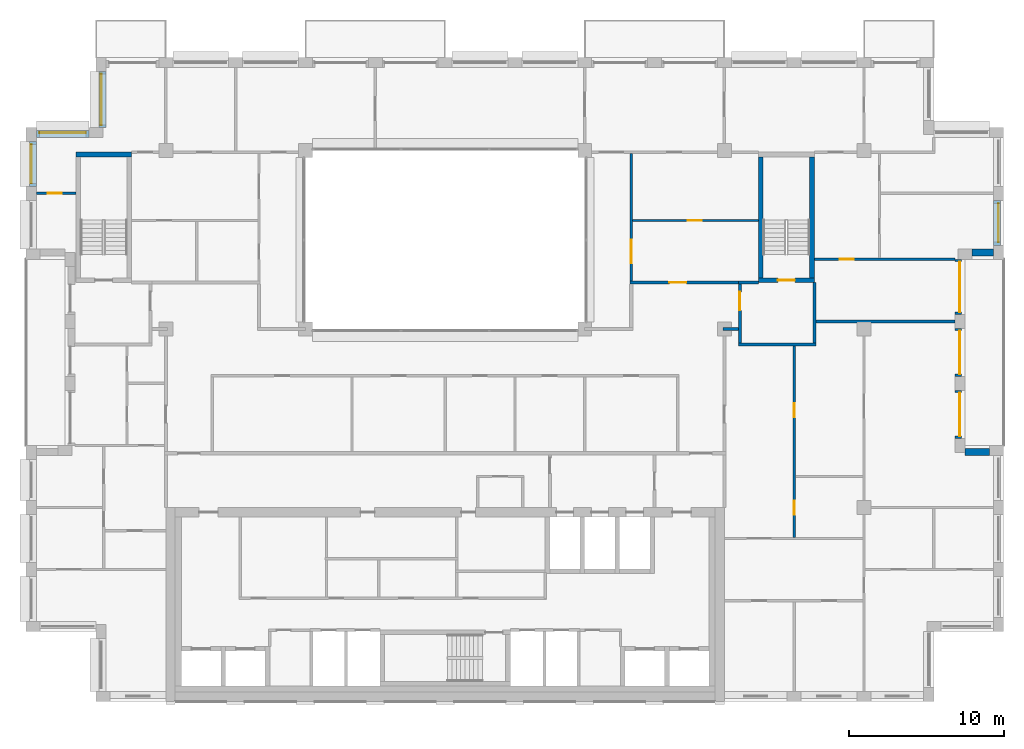
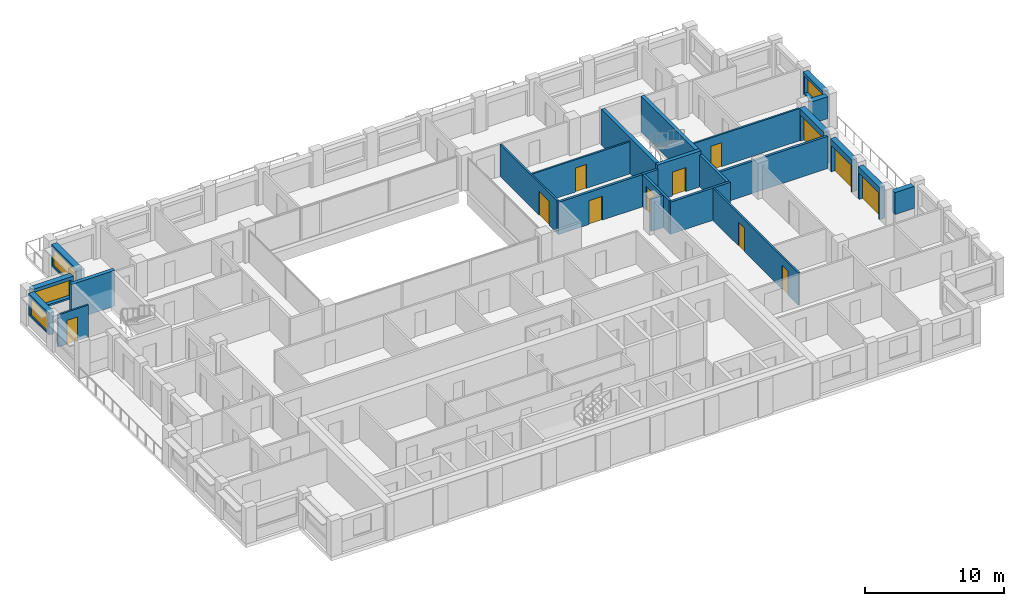
# One storey, part 12 of 15: 25 walls, 12 doors, 4 windows, 16 openings.
"""IFC4 building model written with IfcOpenShell, lengths in metres."""

from ifc_helpers import new_model, si_unit, direction, frame, frame_2d, origin, place, context, subcontext, project, spatial, rectangle, extrude, material, layer, layer_set, type_object, element, fill, save


model = new_model("IFC4")

# Units and contexts
model_context = context("Model", 3, precision=1e-05, world=origin(), true_north=direction((0.0, 1.0)))
body_context = subcontext(model_context, "Body", "Model", "MODEL_VIEW")
ifc_project = project(units=[si_unit("LENGTHUNIT", "METRE"), si_unit("AREAUNIT", "SQUARE_METRE"), si_unit("VOLUMEUNIT", "CUBIC_METRE"), si_unit("PLANEANGLEUNIT", "RADIAN"), si_unit("MASSUNIT", "GRAM", prefix="KILO")], contexts=[model_context])

# Site, building, storey
site_placement = place(None, origin())
site = spatial("IfcSite", under=ifc_project, at=site_placement, CompositionType="ELEMENT")
building_placement = place(site_placement, origin())
building = spatial("IfcBuilding", under=site, at=building_placement, Name="Brigalow Station Residences", CompositionType="ELEMENT")
storey_placement = place(building_placement, frame((0.0, 0.0, 223.199951171875)))
storey = spatial("IfcBuildingStorey", under=building, at=storey_placement, Name="L64", CompositionType="ELEMENT", Elevation=223.199951171875)

# Wall
ifc_material_1 = material(Name="Clay brick masonry", Category="masonry")
ifc_layer_1 = layer(ifc_material_1, 0.449951171875)
ifc_layer_set_1 = layer_set([ifc_layer_1], Name="BRICK INFILL WALL 450")
wall_type_1 = type_object("IfcWallType", Name="BRICK INFILL WALL 450", PredefinedType="SOLIDWALL", material=ifc_layer_set_1)
wall_1_placement = place(storey_placement, frame((71.10009765625, 16.074951171875, 0.900146484375), z_axis=(0.0, 0.0, 1.0), x_axis=(-1.0, 0.0, 0.0)))
element("IfcWall", 1, at=wall_1_placement, inside=storey, type_object=wall_type_1, Name="L64/ewall/W-L64-11", PredefinedType="SOLIDWALL", context=body_context, shape_type="SweptSolid", body=[
    extrude(rectangle(XDim=1.60009765625, YDim=0.449951171875, at=frame_2d((0.800048828125, 0.0))), origin(), (0.0, 0.0, 1.0), 1.929931640625),
])

# Wall, opening, door
wall_2_placement = place(storey_placement, frame((69.074951171875, 16.949951171875, 0.0), z_axis=(0.0, 0.0, 1.0), x_axis=(0.0, 1.0, 0.0)))
wall_2 = element("IfcWall", 2, at=wall_2_placement, inside=storey, type_object=wall_type_1, Name="L64/ewall/W-L64-12", PredefinedType="SOLIDWALL", context=body_context, shape_type="SweptSolid", body=[
    extrude(rectangle(XDim=3.10009765625, YDim=0.449951171875, at=frame_2d((1.550048828125, 0.0))), origin(), (0.0, 0.0, 1.0), 2.830078125),
])
opening_1_placement = place(wall_2_placement, frame((0.14990234375, 0.0, 0.0)))
opening_1 = element("IfcOpeningElement", 3, at=opening_1_placement, cuts=wall_2, Name="Opening D-B2800", PredefinedType="OPENING", context=body_context, shape_type="SweptSolid", body=[
    extrude(rectangle(XDim=2.800048828125, YDim=2.300048828125, at=frame_2d((1.39990234375, 1.14990234375))), frame((0.0, 0.23486328125, 0.0), z_axis=(0.0, -1.0, 0.0), x_axis=(1.0, 0.0, 0.0)), (0.0, 0.0, 1.0), 0.469970703125),
])
ifc_material_2 = material(Name="Anodised aluminium frame with double glazing", Category="aluminium")
door_type_1 = type_object("IfcDoorType", Name="BALCONY SLIDING DOOR 2800x2300", OperationType="SLIDING_TO_LEFT", PredefinedType="DOOR", material=ifc_material_2)
door_1_placement = place(opening_1_placement, origin())
door_1 = element("IfcDoor", 4, at=door_1_placement, inside=storey, type_object=door_type_1, Name="L64/balcony-door/W-L64-12", OperationType="SLIDING_TO_LEFT", OverallHeight=2.300048828125, OverallWidth=2.800048828125, PredefinedType="DOOR", context=body_context, shape_type="SweptSolid", body=[
    extrude(rectangle(XDim=2.800048828125, YDim=2.300048828125, at=frame_2d((1.39990234375, 1.14990234375))), frame((0.0, -0.06982421875, 0.0), z_axis=(0.0, -1.0, 0.0), x_axis=(1.0, 0.0, 0.0)), (0.0, 0.0, 1.0), 0.050048828125),
])
fill(opening_1, door_1)

wall_3_placement = place(storey_placement, frame((69.074951171875, 20.949951171875, 0.0), z_axis=(0.0, 0.0, 1.0), x_axis=(0.0, 1.0, 0.0)))
wall_3 = element("IfcWall", 5, at=wall_3_placement, inside=storey, type_object=wall_type_1, Name="L64/ewall/W-L64-13", PredefinedType="SOLIDWALL", context=body_context, shape_type="SweptSolid", body=[
    extrude(rectangle(XDim=3.10009765625, YDim=0.449951171875, at=frame_2d((1.550048828125, 0.0))), origin(), (0.0, 0.0, 1.0), 2.830078125),
])
opening_2_placement = place(wall_3_placement, frame((0.14990234375, 0.0, 0.0)))
opening_2 = element("IfcOpeningElement", 6, at=opening_2_placement, cuts=wall_3, Name="Opening D-B2800", PredefinedType="OPENING", context=body_context, shape_type="SweptSolid", body=[
    extrude(rectangle(XDim=2.800048828125, YDim=2.300048828125, at=frame_2d((1.39990234375, 1.14990234375))), frame((0.0, 0.23486328125, 0.0), z_axis=(0.0, -1.0, 0.0), x_axis=(1.0, 0.0, 0.0)), (0.0, 0.0, 1.0), 0.469970703125),
])
door_2_placement = place(opening_2_placement, origin())
door_2 = element("IfcDoor", 7, at=door_2_placement, inside=storey, type_object=door_type_1, Name="L64/balcony-door/W-L64-13", OperationType="SLIDING_TO_LEFT", OverallHeight=2.300048828125, OverallWidth=2.800048828125, PredefinedType="DOOR", context=body_context, shape_type="SweptSolid", body=[
    extrude(rectangle(XDim=2.800048828125, YDim=2.300048828125, at=frame_2d((1.39990234375, 1.14990234375))), frame((0.0, -0.06982421875, 0.0), z_axis=(0.0, -1.0, 0.0), x_axis=(1.0, 0.0, 0.0)), (0.0, 0.0, 1.0), 0.050048828125),
])
fill(opening_2, door_2)

wall_4_placement = place(storey_placement, frame((69.074951171875, 24.949951171875, 0.0), z_axis=(0.0, 0.0, 1.0), x_axis=(0.0, 1.0, 0.0)))
wall_4 = element("IfcWall", 8, at=wall_4_placement, inside=storey, type_object=wall_type_1, Name="L64/ewall/W-L64-14", PredefinedType="SOLIDWALL", context=body_context, shape_type="SweptSolid", body=[
    extrude(rectangle(XDim=3.550048828125, YDim=0.449951171875, at=frame_2d((1.77490234375, 0.0))), origin(), (0.0, 0.0, 1.0), 2.830078125),
])
opening_3_placement = place(wall_4_placement, frame((0.14990234375, 0.0, 0.0)))
opening_3 = element("IfcOpeningElement", 9, at=opening_3_placement, cuts=wall_4, Name="Opening D-B3250", PredefinedType="OPENING", context=body_context, shape_type="SweptSolid", body=[
    extrude(rectangle(XDim=3.25, YDim=2.300048828125, at=frame_2d((1.625, 1.14990234375))), frame((0.0, 0.23486328125, 0.0), z_axis=(0.0, -1.0, 0.0), x_axis=(1.0, 0.0, 0.0)), (0.0, 0.0, 1.0), 0.469970703125),
])
ifc_material_3 = material(Name="Anodised aluminium frame with double glazing", Category="aluminium")
door_type_2 = type_object("IfcDoorType", Name="BALCONY SLIDING DOOR 3250x2300", OperationType="SLIDING_TO_LEFT", PredefinedType="DOOR", material=ifc_material_3)
door_3_placement = place(opening_3_placement, origin())
door_3 = element("IfcDoor", 10, at=door_3_placement, inside=storey, type_object=door_type_2, Name="L64/balcony-door/W-L64-14", OperationType="SLIDING_TO_LEFT", OverallHeight=2.300048828125, OverallWidth=3.25, PredefinedType="DOOR", context=body_context, shape_type="SweptSolid", body=[
    extrude(rectangle(XDim=3.25, YDim=2.300048828125, at=frame_2d((1.625, 1.14990234375))), frame((0.0, -0.06982421875, 0.0), z_axis=(0.0, -1.0, 0.0), x_axis=(1.0, 0.0, 0.0)), (0.0, 0.0, 1.0), 0.050048828125),
])
fill(opening_3, door_3)

# Wall
wall_5_placement = place(storey_placement, frame((69.949951171875, 28.925048828125, 0.900146484375), z_axis=(0.0, 0.0, 1.0), x_axis=(1.0, 0.0, 0.0)))
element("IfcWall", 11, at=wall_5_placement, inside=storey, type_object=wall_type_1, Name="L64/ewall/W-L64-15", PredefinedType="SOLIDWALL", context=body_context, shape_type="SweptSolid", body=[
    extrude(rectangle(XDim=1.400146484375, YDim=0.449951171875, at=frame_2d((0.7001953125, 0.0))), origin(), (0.0, 0.0, 1.0), 1.929931640625),
])

# Wall, opening, window
wall_6_placement = place(storey_placement, frame((71.574951171875, 29.39990234375, 0.900146484375), z_axis=(0.0, 0.0, 1.0), x_axis=(0.0, 1.0, 0.0)))
wall_6 = element("IfcWall", 12, at=wall_6_placement, inside=storey, type_object=wall_type_1, Name="L64/ewall/W-L64-16", PredefinedType="SOLIDWALL", context=body_context, shape_type="SweptSolid", body=[
    extrude(rectangle(XDim=2.900146484375, YDim=0.449951171875, at=frame_2d((1.4501953125, 0.0))), origin(), (0.0, 0.0, 1.0), 1.929931640625),
])
opening_4_placement = place(wall_6_placement, frame((0.199951171875, 0.0, 0.14990234375)))
opening_4 = element("IfcOpeningElement", 13, at=opening_4_placement, cuts=wall_6, Name="Opening WT-5", PredefinedType="OPENING", context=body_context, shape_type="SweptSolid", body=[
    extrude(rectangle(XDim=2.5, YDim=1.5, at=frame_2d((1.25, 0.75))), frame((0.0, 0.23486328125, 0.0), z_axis=(0.0, -1.0, 0.0), x_axis=(1.0, 0.0, 0.0)), (0.0, 0.0, 1.0), 0.469970703125),
])
ifc_material_4 = material(Name="Anodised aluminium frame with double glazing", Category="aluminium")
window_type_1 = type_object("IfcWindowType", Name="WINDOW 2500x1500", PartitioningType="SINGLE_PANEL", PredefinedType="WINDOW", material=ifc_material_4)
window_1_placement = place(opening_4_placement, origin())
window_1 = element("IfcWindow", 14, at=window_1_placement, inside=storey, type_object=window_type_1, Name="L64/window/W-L64-16", OverallHeight=1.5, OverallWidth=2.5, PartitioningType="SINGLE_PANEL", PredefinedType="WINDOW", context=body_context, shape_type="SweptSolid", body=[
    extrude(rectangle(XDim=2.5, YDim=1.5, at=frame_2d((1.25, 0.75))), frame((0.0, -0.06494140625, 0.0), z_axis=(0.0, -1.0, 0.0), x_axis=(1.0, 0.0, 0.0)), (0.0, 0.0, 1.0), 0.06005859375),
])
fill(opening_4, window_1)

wall_7_placement = place(storey_placement, frame((13.925048828125, 40.60009765625, 0.900146484375), z_axis=(0.0, 0.0, 1.0), x_axis=(0.0, -1.0, 0.0)))
wall_7 = element("IfcWall", 15, at=wall_7_placement, inside=storey, type_object=wall_type_1, Name="L64/ewall/W-L64-32", PredefinedType="SOLIDWALL", context=body_context, shape_type="SweptSolid", body=[
    extrude(rectangle(XDim=3.60009765625, YDim=0.449951171875, at=frame_2d((1.800048828125, 0.0))), origin(), (0.0, 0.0, 1.0), 1.929931640625),
])
opening_5_placement = place(wall_7_placement, frame((0.14990234375, 0.0, 0.14990234375)))
opening_5 = element("IfcOpeningElement", 16, at=opening_5_placement, cuts=wall_7, Name="Opening WT-10", PredefinedType="OPENING", context=body_context, shape_type="SweptSolid", body=[
    extrude(rectangle(XDim=3.300048828125, YDim=1.5, at=frame_2d((1.64990234375, 0.75))), frame((0.0, 0.23486328125, 0.0), z_axis=(0.0, -1.0, 0.0), x_axis=(1.0, 0.0, 0.0)), (0.0, 0.0, 1.0), 0.469970703125),
])
ifc_material_5 = material(Name="Anodised aluminium frame with double glazing", Category="aluminium")
window_type_2 = type_object("IfcWindowType", Name="WINDOW 3300x1500", PartitioningType="SINGLE_PANEL", PredefinedType="WINDOW", material=ifc_material_5)
window_2_placement = place(opening_5_placement, origin())
window_2 = element("IfcWindow", 17, at=window_2_placement, inside=storey, type_object=window_type_2, Name="L64/window/W-L64-32", OverallHeight=1.5, OverallWidth=3.300048828125, PartitioningType="SINGLE_PANEL", PredefinedType="WINDOW", context=body_context, shape_type="SweptSolid", body=[
    extrude(rectangle(XDim=3.300048828125, YDim=1.5, at=frame_2d((1.64990234375, 0.75))), frame((0.0, -0.06494140625, 0.0), z_axis=(0.0, -1.0, 0.0), x_axis=(1.0, 0.0, 0.0)), (0.0, 0.0, 1.0), 0.06005859375),
])
fill(opening_5, window_2)

wall_8_placement = place(storey_placement, frame((13.050048828125, 36.574951171875, 0.900146484375), z_axis=(0.0, 0.0, 1.0), x_axis=(-1.0, 0.0, 0.0)))
wall_8 = element("IfcWall", 18, at=wall_8_placement, inside=storey, type_object=wall_type_1, Name="L64/ewall/W-L64-33", PredefinedType="SOLIDWALL", context=body_context, shape_type="SweptSolid", body=[
    extrude(rectangle(XDim=3.400146484375, YDim=0.449951171875, at=frame_2d((1.7001953125, 0.0))), origin(), (0.0, 0.0, 1.0), 1.929931640625),
])
opening_6_placement = place(wall_8_placement, frame((0.199951171875, 0.0, 0.14990234375)))
opening_6 = element("IfcOpeningElement", 19, at=opening_6_placement, cuts=wall_8, Name="Opening WT-2", PredefinedType="OPENING", context=body_context, shape_type="SweptSolid", body=[
    extrude(rectangle(XDim=3.0, YDim=1.5, at=frame_2d((1.5, 0.75))), frame((0.0, 0.23486328125, 0.0), z_axis=(0.0, -1.0, 0.0), x_axis=(1.0, 0.0, 0.0)), (0.0, 0.0, 1.0), 0.469970703125),
])
ifc_material_6 = material(Name="Anodised aluminium frame with double glazing", Category="aluminium")
window_type_3 = type_object("IfcWindowType", Name="WINDOW 3000x1500", PartitioningType="SINGLE_PANEL", PredefinedType="WINDOW", material=ifc_material_6)
window_3_placement = place(opening_6_placement, origin())
window_3 = element("IfcWindow", 20, at=window_3_placement, inside=storey, type_object=window_type_3, Name="L64/window/W-L64-33", OverallHeight=1.5, OverallWidth=3.0, PartitioningType="SINGLE_PANEL", PredefinedType="WINDOW", context=body_context, shape_type="SweptSolid", body=[
    extrude(rectangle(XDim=3.0, YDim=1.5, at=frame_2d((1.5, 0.75))), frame((0.0, -0.06494140625, 0.0), z_axis=(0.0, -1.0, 0.0), x_axis=(1.0, 0.0, 0.0)), (0.0, 0.0, 1.0), 0.06005859375),
])
fill(opening_6, window_3)

wall_9_placement = place(storey_placement, frame((9.425048828125, 36.10009765625, 0.900146484375), z_axis=(0.0, 0.0, 1.0), x_axis=(0.0, -1.0, 0.0)))
wall_9 = element("IfcWall", 21, at=wall_9_placement, inside=storey, type_object=wall_type_1, Name="L64/ewall/W-L64-34", PredefinedType="SOLIDWALL", context=body_context, shape_type="SweptSolid", body=[
    extrude(rectangle(XDim=2.900146484375, YDim=0.449951171875, at=frame_2d((1.4501953125, 0.0))), origin(), (0.0, 0.0, 1.0), 1.929931640625),
])
opening_7_placement = place(wall_9_placement, frame((0.199951171875, 0.0, 0.14990234375)))
opening_7 = element("IfcOpeningElement", 22, at=opening_7_placement, cuts=wall_9, Name="Opening WT-5", PredefinedType="OPENING", context=body_context, shape_type="SweptSolid", body=[
    extrude(rectangle(XDim=2.5, YDim=1.5, at=frame_2d((1.25, 0.75))), frame((0.0, 0.23486328125, 0.0), z_axis=(0.0, -1.0, 0.0), x_axis=(1.0, 0.0, 0.0)), (0.0, 0.0, 1.0), 0.469970703125),
])
window_4_placement = place(opening_7_placement, origin())
window_4 = element("IfcWindow", 23, at=window_4_placement, inside=storey, type_object=window_type_1, Name="L64/window/W-L64-34", OverallHeight=1.5, OverallWidth=2.5, PartitioningType="SINGLE_PANEL", PredefinedType="WINDOW", context=body_context, shape_type="SweptSolid", body=[
    extrude(rectangle(XDim=2.5, YDim=1.5, at=frame_2d((1.25, 0.75))), frame((0.0, -0.06494140625, 0.0), z_axis=(0.0, -1.0, 0.0), x_axis=(1.0, 0.0, 0.0)), (0.0, 0.0, 1.0), 0.06005859375),
])
fill(opening_7, window_4)

# Wall
ifc_material_7 = material(Name="Concrete C50", Category="concrete")
ifc_layer_2 = layer(ifc_material_7, 0.300048828125)
ifc_layer_set_2 = layer_set([ifc_layer_2], Name="CORE SHEAR WALL 300 C50")
wall_type_2 = type_object("IfcWallType", Name="CORE SHEAR WALL 300 C50", PredefinedType="SHEAR", material=ifc_layer_set_2)
wall_10_placement = place(storey_placement, frame((12.199951171875, 35.25, 0.0), z_axis=(0.0, 0.0, 1.0), x_axis=(1.0, 0.0, 0.0)))
element("IfcWall", 24, at=wall_10_placement, inside=storey, type_object=wall_type_2, Name="CORE WALL ST-S1-N L64", PredefinedType="SHEAR", context=body_context, shape_type="SweptSolid", body=[
    extrude(rectangle(XDim=3.60009765625, YDim=0.300048828125, at=frame_2d((1.800048828125, 0.0))), origin(), (0.0, 0.0, 1.0), 3.150146484375),
])

# Wall, opening, door
wall_11_placement = place(storey_placement, frame((56.199951171875, 27.14990234375, 0.0), z_axis=(0.0, 0.0, 1.0), x_axis=(1.0, 0.0, 0.0)))
wall_11 = element("IfcWall", 25, at=wall_11_placement, inside=storey, type_object=wall_type_2, Name="CORE WALL ST-S3-S L64", PredefinedType="SHEAR", context=body_context, shape_type="SweptSolid", body=[
    extrude(rectangle(XDim=3.60009765625, YDim=0.300048828125, at=frame_2d((1.800048828125, 0.0))), origin(), (0.0, 0.0, 1.0), 3.150146484375),
])
opening_8_placement = place(wall_11_placement, frame((1.25, 0.0, 0.0)))
opening_8 = element("IfcOpeningElement", 26, at=opening_8_placement, cuts=wall_11, Name="Opening D-5018", PredefinedType="OPENING", context=body_context, shape_type="SweptSolid", body=[
    extrude(rectangle(XDim=1.10009765625, YDim=2.10009765625, at=frame_2d((0.550048828125, 1.050048828125))), frame((0.0, 0.16015625, 0.0), z_axis=(0.0, -1.0, 0.0), x_axis=(1.0, 0.0, 0.0)), (0.0, 0.0, 1.0), 0.320068359375),
])
ifc_material_8 = material(Name="Steel fire door leaf in steel frame", Category="steel")
door_type_3 = type_object("IfcDoorType", Name="STAIR DOOR 1100 x 2100 FD60S", OperationType="SINGLE_SWING_LEFT", PredefinedType="DOOR", material=ifc_material_8)
door_4_placement = place(opening_8_placement, origin())
door_4 = element("IfcDoor", 27, at=door_4_placement, inside=storey, type_object=door_type_3, Name="D-5018", OperationType="SINGLE_SWING_LEFT", OverallHeight=2.10009765625, OverallWidth=1.10009765625, PredefinedType="DOOR", context=body_context, shape_type="SweptSolid", body=[
    extrude(rectangle(XDim=1.10009765625, YDim=2.10009765625, at=frame_2d((0.550048828125, 1.050048828125))), frame((0.0, 0.02490234375, 0.0), z_axis=(0.0, -1.0, 0.0), x_axis=(1.0, 0.0, 0.0)), (0.0, 0.0, 1.0), 0.050048828125),
])
fill(opening_8, door_4)

# Walls
for number, where, z_axis, x_axis, name in (
    (28, (56.35009765625, 27.300048828125, 0.0), (0.0, 0.0, 1.0), (0.0, 1.0, 0.0), "CORE WALL ST-S3-W L64"),
    (29, (59.64990234375, 27.300048828125, 0.0), (0.0, 0.0, 1.0), (0.0, 1.0, 0.0), "CORE WALL ST-S3-E L64"),
):
    element("IfcWall", number, at=place(storey_placement, frame(where, z_axis=z_axis, x_axis=x_axis)), inside=storey, type_object=wall_type_2, Name=name, PredefinedType="SHEAR", context=body_context, shape_type="SweptSolid", body=[
        extrude(rectangle(XDim=7.800048828125, YDim=0.300048828125, at=frame_2d((3.89990234375, 0.0))), origin(), (0.0, 0.0, 1.0), 3.150146484375),
    ])
ifc_material_9 = material(Name="Concrete blockwork", Category="masonry")
ifc_layer_3 = layer(ifc_material_9, 0.199951171875)
ifc_layer_set_3 = layer_set([ifc_layer_3], Name="FIRE RATED CORE PARTITION 200")
wall_type_3 = type_object("IfcWallType", Name="FIRE RATED CORE PARTITION 200", PredefinedType="PARTITIONING", material=ifc_layer_set_3)
wall_12_placement = place(storey_placement, frame((54.89990234375, 23.0, 0.0), z_axis=(0.0, 0.0, 1.0), x_axis=(1.0, 0.0, 0.0)))
element("IfcWall", 30, at=wall_12_placement, inside=storey, type_object=wall_type_3, Name="PW-5024", PredefinedType="PARTITIONING", context=body_context, shape_type="SweptSolid", body=[
    extrude(rectangle(XDim=5.0, YDim=0.199951171875, at=frame_2d((2.5, 0.0))), origin(), (0.0, 0.0, 1.0), 2.830078125),
])
wall_13_placement = place(storey_placement, frame((54.89990234375, 27.0, 0.0), z_axis=(0.0, 0.0, 1.0), x_axis=(1.0, 0.0, 0.0)))
element("IfcWall", 31, at=wall_13_placement, inside=storey, type_object=wall_type_3, Name="PW-5026", PredefinedType="PARTITIONING", context=body_context, shape_type="SweptSolid", body=[
    extrude(rectangle(XDim=1.300048828125, YDim=0.199951171875, at=frame_2d((0.64990234375, 0.0))), origin(), (0.0, 0.0, 1.0), 2.830078125),
])

# Wall, opening, door
wall_14_placement = place(storey_placement, frame((55.0, 23.10009765625, 0.0), z_axis=(0.0, 0.0, 1.0), x_axis=(0.0, 1.0, 0.0)))
wall_14 = element("IfcWall", 32, at=wall_14_placement, inside=storey, type_object=wall_type_3, Name="PW-5036", PredefinedType="PARTITIONING", context=body_context, shape_type="SweptSolid", body=[
    extrude(rectangle(XDim=3.7998046875, YDim=0.199951171875, at=frame_2d((1.89990234375, 0.0))), origin(), (0.0, 0.0, 1.0), 2.830078125),
])
opening_9_placement = place(wall_14_placement, frame((2.10009765625, 0.0, 0.0)))
opening_9 = element("IfcOpeningElement", 33, at=opening_9_placement, cuts=wall_14, Name="Opening D-5019", PredefinedType="OPENING", context=body_context, shape_type="SweptSolid", body=[
    extrude(rectangle(XDim=1.199951171875, YDim=2.10009765625, at=frame_2d((0.60009765625, 1.050048828125))), frame((0.0, 0.10986328125, 0.0), z_axis=(0.0, -1.0, 0.0), x_axis=(1.0, 0.0, 0.0)), (0.0, 0.0, 1.0), 0.219970703125),
])
ifc_material_10 = material(Name="Steel fire door leaf in steel frame", Category="steel")
door_type_4 = type_object("IfcDoorType", Name="STAIR LOBBY DOOR 1200 x 2100 FD60S", OperationType="SINGLE_SWING_LEFT", PredefinedType="DOOR", material=ifc_material_10)
door_5_placement = place(opening_9_placement, frame((1.199951171875, 0.0, 0.0), z_axis=(0.0, 0.0, 1.0), x_axis=(-1.0, 0.0, 0.0)))
door_5 = element("IfcDoor", 34, at=door_5_placement, inside=storey, type_object=door_type_4, Name="D-5019", OperationType="SINGLE_SWING_LEFT", OverallHeight=2.10009765625, OverallWidth=1.199951171875, PredefinedType="DOOR", context=body_context, shape_type="SweptSolid", body=[
    extrude(rectangle(XDim=1.199951171875, YDim=2.10009765625, at=frame_2d((0.60009765625, 1.050048828125))), frame((0.0, 0.02490234375, 0.0), z_axis=(0.0, -1.0, 0.0), x_axis=(1.0, 0.0, 0.0)), (0.0, 0.0, 1.0), 0.050048828125),
])
fill(opening_9, door_5)

# Wall
wall_15_placement = place(storey_placement, frame((59.800048828125, 23.10009765625, 0.0), z_axis=(0.0, 0.0, 1.0), x_axis=(0.0, 1.0, 0.0)))
element("IfcWall", 35, at=wall_15_placement, inside=storey, type_object=wall_type_3, Name="PW-5037", PredefinedType="PARTITIONING", context=body_context, shape_type="SweptSolid", body=[
    extrude(rectangle(XDim=3.89990234375, YDim=0.199951171875, at=frame_2d((1.949951171875, 0.0))), origin(), (0.0, 0.0, 1.0), 2.830078125),
])

# Wall, opening, door
ifc_material_11 = material(Name="Plasterboard on steel stud partition", Category="steel")
ifc_layer_4 = layer(ifc_material_11, 0.14990234375)
ifc_layer_set_4 = layer_set([ifc_layer_4], Name="FLAT PARTITION 150")
wall_type_4 = type_object("IfcWallType", Name="FLAT PARTITION 150", PredefinedType="PARTITIONING", material=ifc_layer_set_4)
wall_16_placement = place(storey_placement, frame((48.074951171875, 31.0, 0.0), z_axis=(0.0, 0.0, 1.0), x_axis=(1.0, 0.0, 0.0)))
wall_16 = element("IfcWall", 36, at=wall_16_placement, inside=storey, type_object=wall_type_4, Name="PW-4D16", PredefinedType="PARTITIONING", context=body_context, shape_type="SweptSolid", body=[
    extrude(rectangle(XDim=8.125, YDim=0.14990234375, at=frame_2d((4.0625, 0.0))), origin(), (0.0, 0.0, 1.0), 2.830078125),
])
opening_10_placement = place(wall_16_placement, frame((3.574951171875, 0.0, 0.0)))
opening_10 = element("IfcOpeningElement", 37, at=opening_10_placement, cuts=wall_16, Name="Opening D-4D12", PredefinedType="OPENING", context=body_context, shape_type="SweptSolid", body=[
    extrude(rectangle(XDim=0.89990234375, YDim=2.10009765625, at=frame_2d((0.449951171875, 1.050048828125))), frame((0.0, 0.0849609375, 0.0), z_axis=(0.0, -1.0, 0.0), x_axis=(1.0, 0.0, 0.0)), (0.0, 0.0, 1.0), 0.169921875),
])
ifc_material_12 = material(Name="Solid-core timber door leaf", Category="wood")
door_type_5 = type_object("IfcDoorType", Name="INTERNAL DOOR 900 x 2100", OperationType="SINGLE_SWING_LEFT", PredefinedType="DOOR", material=ifc_material_12)
door_6_placement = place(opening_10_placement, frame((0.89990234375, 0.0, 0.0), z_axis=(0.0, 0.0, 1.0), x_axis=(-1.0, 0.0, 0.0)))
door_6 = element("IfcDoor", 38, at=door_6_placement, inside=storey, type_object=door_type_5, Name="D-4D12", OperationType="SINGLE_SWING_RIGHT", OverallHeight=2.10009765625, OverallWidth=0.89990234375, PredefinedType="DOOR", context=body_context, shape_type="SweptSolid", body=[
    extrude(rectangle(XDim=0.89990234375, YDim=2.10009765625, at=frame_2d((0.449951171875, 1.050048828125))), frame((0.0, 0.02490234375, 0.0), z_axis=(0.0, -1.0, 0.0), x_axis=(1.0, 0.0, 0.0)), (0.0, 0.0, 1.0), 0.050048828125),
])
fill(opening_10, door_6)

wall_17_placement = place(storey_placement, frame((9.64990234375, 32.75, 0.0), z_axis=(0.0, 0.0, 1.0), x_axis=(1.0, 0.0, 0.0)))
wall_17 = element("IfcWall", 39, at=wall_17_placement, inside=storey, type_object=wall_type_4, Name="PW-4D20", PredefinedType="PARTITIONING", context=body_context, shape_type="SweptSolid", body=[
    extrude(rectangle(XDim=2.550048828125, YDim=0.14990234375, at=frame_2d((1.27490234375, 0.0))), origin(), (0.0, 0.0, 1.0), 2.830078125),
])
opening_11_placement = place(wall_17_placement, frame((0.75, 0.0, 0.0)))
opening_11 = element("IfcOpeningElement", 40, at=opening_11_placement, cuts=wall_17, Name="Opening D-4D24", PredefinedType="OPENING", context=body_context, shape_type="SweptSolid", body=[
    extrude(rectangle(XDim=0.89990234375, YDim=2.10009765625, at=frame_2d((0.449951171875, 1.050048828125))), frame((0.0, 0.0849609375, 0.0), z_axis=(0.0, -1.0, 0.0), x_axis=(1.0, 0.0, 0.0)), (0.0, 0.0, 1.0), 0.169921875),
])
door_7_placement = place(opening_11_placement, frame((0.89990234375, 0.0, 0.0), z_axis=(0.0, 0.0, 1.0), x_axis=(-1.0, 0.0, 0.0)))
door_7 = element("IfcDoor", 41, at=door_7_placement, inside=storey, type_object=door_type_5, Name="D-4D24", OperationType="SINGLE_SWING_RIGHT", OverallHeight=2.10009765625, OverallWidth=0.89990234375, PredefinedType="DOOR", context=body_context, shape_type="SweptSolid", body=[
    extrude(rectangle(XDim=0.89990234375, YDim=2.10009765625, at=frame_2d((0.449951171875, 1.050048828125))), frame((0.0, 0.02490234375, 0.0), z_axis=(0.0, -1.0, 0.0), x_axis=(1.0, 0.0, 0.0)), (0.0, 0.0, 1.0), 0.050048828125),
])
fill(opening_11, door_7)

wall_18_placement = place(storey_placement, frame((59.800048828125, 28.5, 0.0), z_axis=(0.0, 0.0, 1.0), x_axis=(1.0, 0.0, 0.0)))
wall_18 = element("IfcWall", 42, at=wall_18_placement, inside=storey, type_object=wall_type_4, Name="PW-4D22", PredefinedType="PARTITIONING", context=body_context, shape_type="SweptSolid", body=[
    extrude(rectangle(XDim=9.050048828125, YDim=0.14990234375, at=frame_2d((4.52490234375, 0.0))), origin(), (0.0, 0.0, 1.0), 2.830078125),
])
opening_12_placement = place(wall_18_placement, frame((1.64990234375, 0.0, 0.0)))
opening_12 = element("IfcOpeningElement", 43, at=opening_12_placement, cuts=wall_18, Name="Opening D-4D30", PredefinedType="OPENING", context=body_context, shape_type="SweptSolid", body=[
    extrude(rectangle(XDim=0.89990234375, YDim=2.10009765625, at=frame_2d((0.449951171875, 1.050048828125))), frame((0.0, 0.0849609375, 0.0), z_axis=(0.0, -1.0, 0.0), x_axis=(1.0, 0.0, 0.0)), (0.0, 0.0, 1.0), 0.169921875),
])
door_8_placement = place(opening_12_placement, frame((0.89990234375, 0.0, 0.0), z_axis=(0.0, 0.0, 1.0), x_axis=(-1.0, 0.0, 0.0)))
door_8 = element("IfcDoor", 44, at=door_8_placement, inside=storey, type_object=door_type_5, Name="D-4D30", OperationType="SINGLE_SWING_RIGHT", OverallHeight=2.10009765625, OverallWidth=0.89990234375, PredefinedType="DOOR", context=body_context, shape_type="SweptSolid", body=[
    extrude(rectangle(XDim=0.89990234375, YDim=2.10009765625, at=frame_2d((0.449951171875, 1.050048828125))), frame((0.0, 0.02490234375, 0.0), z_axis=(0.0, -1.0, 0.0), x_axis=(1.0, 0.0, 0.0)), (0.0, 0.0, 1.0), 0.050048828125),
])
fill(opening_12, door_8)

wall_19_placement = place(storey_placement, frame((48.0, 27.10009765625, 0.0), z_axis=(0.0, 0.0, 1.0), x_axis=(0.0, 1.0, 0.0)))
wall_19 = element("IfcWall", 45, at=wall_19_placement, inside=storey, type_object=wall_type_4, Name="PW-4D36", PredefinedType="PARTITIONING", context=body_context, shape_type="SweptSolid", body=[
    extrude(rectangle(XDim=8.224853515625, YDim=0.14990234375, at=frame_2d((4.1123046875, 0.0))), origin(), (0.0, 0.0, 1.0), 2.830078125),
])
opening_13_placement = place(wall_19_placement, frame((1.14990234375, 0.0, 0.0)))
opening_13 = element("IfcOpeningElement", 46, at=opening_13_placement, cuts=wall_19, Name="Opening D-4D13", PredefinedType="OPENING", context=body_context, shape_type="SweptSolid", body=[
    extrude(rectangle(XDim=1.5, YDim=2.10009765625, at=frame_2d((0.75, 1.050048828125))), frame((0.0, 0.0849609375, 0.0), z_axis=(0.0, -1.0, 0.0), x_axis=(1.0, 0.0, 0.0)), (0.0, 0.0, 1.0), 0.169921875),
])
ifc_material_13 = material(Name="Solid-core timber door leaf", Category="wood")
door_type_6 = type_object("IfcDoorType", Name="INTERNAL DOUBLE DOOR 1500 x 2100", OperationType="DOUBLE_DOOR_SINGLE_SWING", PredefinedType="DOOR", material=ifc_material_13)
door_9_placement = place(opening_13_placement, frame((1.5, 0.0, 0.0), z_axis=(0.0, 0.0, 1.0), x_axis=(-1.0, 0.0, 0.0)))
door_9 = element("IfcDoor", 47, at=door_9_placement, inside=storey, type_object=door_type_6, Name="D-4D13", OperationType="DOUBLE_DOOR_SINGLE_SWING", OverallHeight=2.10009765625, OverallWidth=1.5, PredefinedType="DOOR", context=body_context, shape_type="SweptSolid", body=[
    extrude(rectangle(XDim=1.5, YDim=2.10009765625, at=frame_2d((0.75, 1.050048828125))), frame((0.0, 0.02490234375, 0.0), z_axis=(0.0, -1.0, 0.0), x_axis=(1.0, 0.0, 0.0)), (0.0, 0.0, 1.0), 0.050048828125),
])
fill(opening_13, door_9)

# Wall, openings, doors
wall_20_placement = place(storey_placement, frame((58.5, 10.574951171875, 0.0), z_axis=(0.0, 0.0, 1.0), x_axis=(0.0, 1.0, 0.0)))
wall_20 = element("IfcWall", 48, at=wall_20_placement, inside=storey, type_object=wall_type_4, Name="PW-4D51", PredefinedType="PARTITIONING", context=body_context, shape_type="SweptSolid", body=[
    extrude(rectangle(XDim=12.324951171875, YDim=0.14990234375, at=frame_2d((6.16259765625, 0.0))), origin(), (0.0, 0.0, 1.0), 2.830078125),
])
opening_14_placement = place(wall_20_placement, frame((1.47509765625, 0.0, 0.0)))
opening_14 = element("IfcOpeningElement", 49, at=opening_14_placement, cuts=wall_20, Name="Opening D-4D38", PredefinedType="OPENING", context=body_context, shape_type="SweptSolid", body=[
    extrude(rectangle(XDim=0.89990234375, YDim=2.10009765625, at=frame_2d((0.449951171875, 1.050048828125))), frame((0.0, 0.0849609375, 0.0), z_axis=(0.0, -1.0, 0.0), x_axis=(1.0, 0.0, 0.0)), (0.0, 0.0, 1.0), 0.169921875),
])
opening_15_placement = place(wall_20_placement, frame((7.75, 0.0, 0.0)))
opening_15 = element("IfcOpeningElement", 50, at=opening_15_placement, cuts=wall_20, Name="Opening D-4D39", PredefinedType="OPENING", context=body_context, shape_type="SweptSolid", body=[
    extrude(rectangle(XDim=0.89990234375, YDim=2.10009765625, at=frame_2d((0.449951171875, 1.050048828125))), frame((0.0, 0.0849609375, 0.0), z_axis=(0.0, -1.0, 0.0), x_axis=(1.0, 0.0, 0.0)), (0.0, 0.0, 1.0), 0.169921875),
])
door_10_placement = place(opening_14_placement, frame((0.89990234375, 0.0, 0.0), z_axis=(0.0, 0.0, 1.0), x_axis=(-1.0, 0.0, 0.0)))
door_10 = element("IfcDoor", 51, at=door_10_placement, inside=storey, type_object=door_type_5, Name="D-4D38", OperationType="SINGLE_SWING_LEFT", OverallHeight=2.10009765625, OverallWidth=0.89990234375, PredefinedType="DOOR", context=body_context, shape_type="SweptSolid", body=[
    extrude(rectangle(XDim=0.89990234375, YDim=2.10009765625, at=frame_2d((0.449951171875, 1.050048828125))), frame((0.0, 0.02490234375, 0.0), z_axis=(0.0, -1.0, 0.0), x_axis=(1.0, 0.0, 0.0)), (0.0, 0.0, 1.0), 0.050048828125),
])
fill(opening_14, door_10)
door_11_placement = place(opening_15_placement, frame((0.89990234375, 0.0, 0.0), z_axis=(0.0, 0.0, 1.0), x_axis=(-1.0, 0.0, 0.0)))
door_11 = element("IfcDoor", 52, at=door_11_placement, inside=storey, type_object=door_type_5, Name="D-4D39", OperationType="SINGLE_SWING_LEFT", OverallHeight=2.10009765625, OverallWidth=0.89990234375, PredefinedType="DOOR", context=body_context, shape_type="SweptSolid", body=[
    extrude(rectangle(XDim=0.89990234375, YDim=2.10009765625, at=frame_2d((0.449951171875, 1.050048828125))), frame((0.0, 0.02490234375, 0.0), z_axis=(0.0, -1.0, 0.0), x_axis=(1.0, 0.0, 0.0)), (0.0, 0.0, 1.0), 0.050048828125),
])
fill(opening_15, door_11)

# Wall
ifc_material_14 = material(Name="Plasterboard on steel stud partition", Category="steel")
ifc_layer_5 = layer(ifc_material_14, 0.199951171875)
ifc_layer_set_5 = layer_set([ifc_layer_5], Name="PARTY AND CORRIDOR WALL 200")
wall_type_5 = type_object("IfcWallType", Name="PARTY AND CORRIDOR WALL 200", PredefinedType="PARTITIONING", material=ifc_layer_set_5)
wall_21_placement = place(storey_placement, frame((53.89990234375, 24.0, 0.0), z_axis=(0.0, 0.0, 1.0), x_axis=(1.0, 0.0, 0.0)))
element("IfcWall", 53, at=wall_21_placement, inside=storey, type_object=wall_type_5, Name="PW-4D04", PredefinedType="PARTITIONING", context=body_context, shape_type="SweptSolid", body=[
    extrude(rectangle(XDim=1.0, YDim=0.199951171875, at=frame_2d((0.5, 0.0))), origin(), (0.0, 0.0, 1.0), 2.830078125),
])

# Wall, opening, door
wall_22_placement = place(storey_placement, frame((47.925048828125, 27.0, 0.0), z_axis=(0.0, 0.0, 1.0), x_axis=(1.0, 0.0, 0.0)))
wall_22 = element("IfcWall", 54, at=wall_22_placement, inside=storey, type_object=wall_type_5, Name="PW-4D07", PredefinedType="PARTITIONING", context=body_context, shape_type="SweptSolid", body=[
    extrude(rectangle(XDim=6.974853515625, YDim=0.199951171875, at=frame_2d((3.4873046875, 0.0))), origin(), (0.0, 0.0, 1.0), 2.830078125),
])
opening_16_placement = place(wall_22_placement, frame((2.52490234375, 0.0, 0.0)))
opening_16 = element("IfcOpeningElement", 55, at=opening_16_placement, cuts=wall_22, Name="Opening D-4D11", PredefinedType="OPENING", context=body_context, shape_type="SweptSolid", body=[
    extrude(rectangle(XDim=1.10009765625, YDim=2.10009765625, at=frame_2d((0.550048828125, 1.050048828125))), frame((0.0, 0.10986328125, 0.0), z_axis=(0.0, -1.0, 0.0), x_axis=(1.0, 0.0, 0.0)), (0.0, 0.0, 1.0), 0.219970703125),
])
ifc_material_15 = material(Name="Solid-core timber door leaf", Category="wood")
door_type_7 = type_object("IfcDoorType", Name="FLAT ENTRANCE DOOR 1100 x 2100 FRL -/60/30", OperationType="SINGLE_SWING_LEFT", PredefinedType="DOOR", material=ifc_material_15)
door_12_placement = place(opening_16_placement, origin())
door_12 = element("IfcDoor", 56, at=door_12_placement, inside=storey, type_object=door_type_7, Name="D-4D11", OperationType="SINGLE_SWING_LEFT", OverallHeight=2.10009765625, OverallWidth=1.10009765625, PredefinedType="DOOR", context=body_context, shape_type="SweptSolid", body=[
    extrude(rectangle(XDim=1.10009765625, YDim=2.10009765625, at=frame_2d((0.550048828125, 1.050048828125))), frame((0.0, 0.02490234375, 0.0), z_axis=(0.0, -1.0, 0.0), x_axis=(1.0, 0.0, 0.0)), (0.0, 0.0, 1.0), 0.050048828125),
])
fill(opening_16, door_12)

# Wall
wall_23_placement = place(storey_placement, frame((59.89990234375, 24.5, 0.0), z_axis=(0.0, 0.0, 1.0), x_axis=(1.0, 0.0, 0.0)))
element("IfcWall", 57, at=wall_23_placement, inside=storey, type_object=wall_type_5, Name="PW-4D23", PredefinedType="PARTITIONING", context=body_context, shape_type="SweptSolid", body=[
    extrude(rectangle(XDim=8.9501953125, YDim=0.199951171875, at=frame_2d((4.47509765625, 0.0))), origin(), (0.0, 0.0, 1.0), 2.830078125),
])

save(model, "model.ifc")
